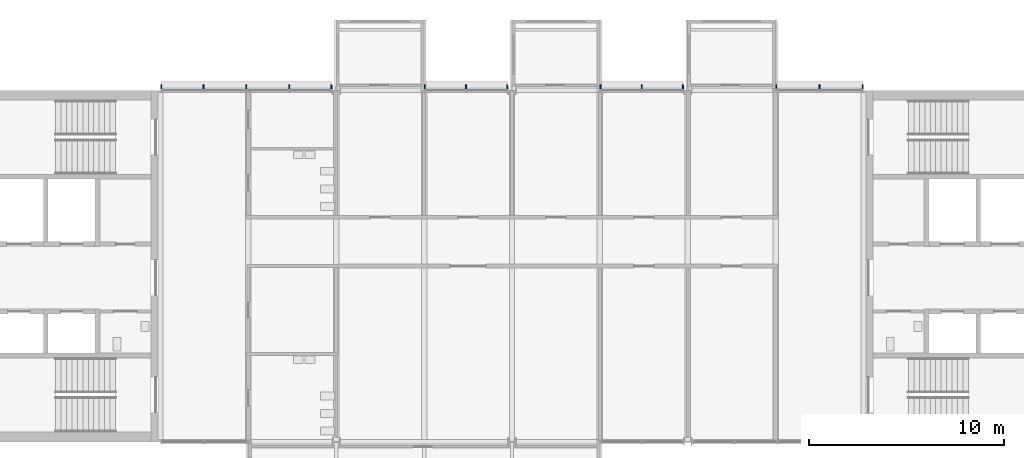
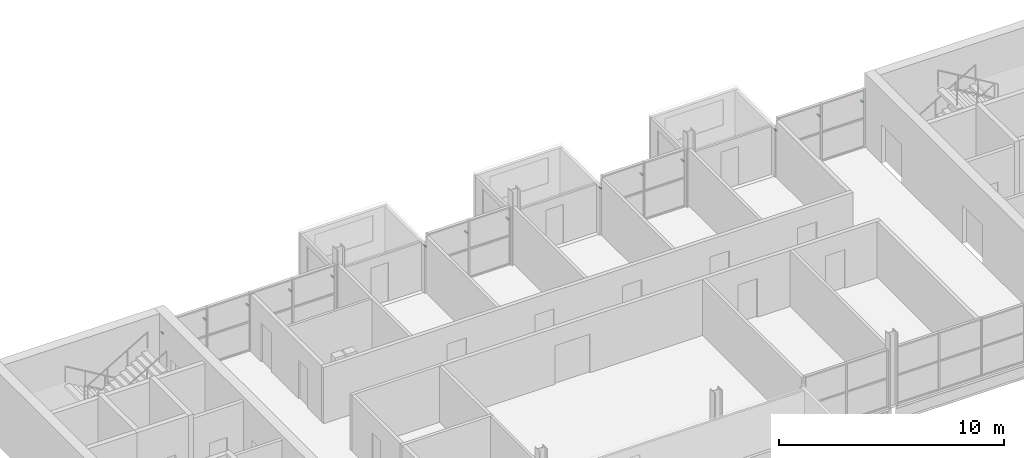
# One storey, part 10 of 12: 14 discrete accessories.
"""IFC4 building model written with IfcOpenShell, lengths in metres."""

import ifcopenshell
import ifcopenshell.guid

model = None  # the IFC model being written
_history = None  # IfcOwnerHistory: only IFC2X3 demands one
_inside = {}  # id of a spatial element -> (the spatial element, [elements in it])
_under = {}  # id of a project, library or spatial element -> (it, [spatial elements below it])
_declared = {}  # id of a project -> (the project, [libraries it declares])
_typed = {}  # id of a type object -> (the type object, [elements of that type])
_made_of = {}  # id of a material, layer set ... -> (it, [elements and type objects made of it])


def new_model(schema):
    """Start an empty IFC model of exactly this schema.

    Asked for "IFC4X3", IfcOpenShell would pick the latest addendum, in which some entities
    have other attributes; the version numbers below select the first issue.
    IFC2X3 requires an IfcOwnerHistory on every rooted entity: one is made here for all.
    """
    global model, _history
    if schema == "IFC4X3":
        model = ifcopenshell.file(schema_version=(4, 3, 0, 0))
    else:
        model = ifcopenshell.file(schema=schema)
    _inside.clear()
    _under.clear()
    _declared.clear()
    _typed.clear()
    _made_of.clear()
    _history = None
    if model.schema == "IFC2X3":
        org = make("IfcOrganization", Name="unknown")
        user = make(
            "IfcPersonAndOrganization",
            ThePerson=make("IfcPerson", FamilyName="unknown"),
            TheOrganization=org,
        )
        app = make(
            "IfcApplication",
            ApplicationDeveloper=org,
            Version="unknown",
            ApplicationFullName="unknown",
            ApplicationIdentifier="unknown",
        )
        _history = make(
            "IfcOwnerHistory",
            OwningUser=user,
            OwningApplication=app,
            ChangeAction="ADDED",
            CreationDate=0,
        )
    return model


def make(cls, **values):
    """One entity of the class cls with the attributes given. An attribute that is None is left unset."""
    return model.create_entity(
        cls, **{name: value for name, value in values.items() if value is not None}
    )


def rooted(cls, **values):
    """An entity with a GlobalId (a new one), such as an element, a storey or a relation."""
    return make(cls, GlobalId=ifcopenshell.guid.new(), OwnerHistory=_history, **values)


def si_unit(unit_type, name, prefix=None):
    """IfcSIUnit, for example si_unit("LENGTHUNIT", "METRE", prefix="MILLI")."""
    return make("IfcSIUnit", UnitType=unit_type, Prefix=prefix, Name=name)


def assignment(units):
    """IfcUnitAssignment: the units of a project."""
    return None if units is None else make("IfcUnitAssignment", Units=units)


def point(xyz):
    """IfcCartesianPoint."""
    return None if xyz is None else make("IfcCartesianPoint", Coordinates=xyz)


def direction(xyz):
    """IfcDirection."""
    return None if xyz is None else make("IfcDirection", DirectionRatios=xyz)


def frame(location, z_axis=None, x_axis=None):
    """IfcAxis2Placement3D, a coordinate frame: its origin and axes. An axis left out is left unset."""
    return make(
        "IfcAxis2Placement3D",
        Location=point(location),
        Axis=direction(z_axis),
        RefDirection=direction(x_axis),
    )


def frame_2d(location, x_axis=None):
    """IfcAxis2Placement2D, a coordinate frame in the plane: its origin and x axis."""
    return make(
        "IfcAxis2Placement2D", Location=point(location), RefDirection=direction(x_axis)
    )


def origin():
    """The frame at (0, 0, 0) with its axes left unset."""
    return frame((0.0, 0.0, 0.0))


def origin_2d():
    """The frame at (0, 0) in the plane with its x axis left unset."""
    return frame_2d((0.0, 0.0))


def place(relative_to, where):
    """IfcLocalPlacement: puts the frame where relative to a parent placement (None: the world)."""
    return make(
        "IfcLocalPlacement", PlacementRelTo=relative_to, RelativePlacement=where
    )


def context(
    kind, dimensions, precision=None, world=None, true_north=None, identifier=None
):
    """IfcGeometricRepresentationContext, for example the 3D "Model" context."""
    return make(
        "IfcGeometricRepresentationContext",
        ContextIdentifier=identifier,
        ContextType=kind,
        CoordinateSpaceDimension=dimensions,
        Precision=precision,
        WorldCoordinateSystem=world,
        TrueNorth=true_north,
    )


def subcontext(parent, identifier, kind, view, scale=None):
    """IfcGeometricRepresentationSubContext, for example "Body" below "Model"."""
    return make(
        "IfcGeometricRepresentationSubContext",
        ContextIdentifier=identifier,
        ContextType=kind,
        ParentContext=parent,
        TargetScale=scale,
        TargetView=view,
    )


def project(units=None, contexts=None):
    """IfcProject with its units and contexts."""
    return rooted(
        "IfcProject",
        Name="project",
        RepresentationContexts=contexts,
        UnitsInContext=assignment(units),
    )


def spatial(cls, under=None, at=None, **own):
    """A site, building, storey or space (cls), placed at a placement, below another one or the project."""
    s = rooted(cls, ObjectPlacement=at, **own)
    if under is not None:
        _under.setdefault(under.id(), (under, []))[1].append(s)
    return s


def profile(cls, at=None, kind="AREA", **sizes):
    """A parametric profile (cls). Its sizes go by their IFC names, for example OverallWidth=200.0."""
    return make(cls, ProfileType=kind, Position=at, **sizes)


def rectangle(**sizes):
    """IfcRectangleProfileDef."""
    return profile("IfcRectangleProfileDef", **sizes)


def extrude(swept, where, along, depth):
    """IfcExtrudedAreaSolid: the profile swept, set in the frame where, extruded along a direction by depth."""
    return make(
        "IfcExtrudedAreaSolid",
        SweptArea=swept,
        Position=where,
        ExtrudedDirection=direction(along),
        Depth=depth,
    )


def shape(context_of_items, identifier, shape_type, items):
    """IfcShapeRepresentation: the items that make up one representation, for example the "Body"."""
    return make(
        "IfcShapeRepresentation",
        ContextOfItems=context_of_items,
        RepresentationIdentifier=identifier,
        RepresentationType=shape_type,
        Items=items,
    )


def material(Name=None, Category=None):
    """IfcMaterial."""
    return make("IfcMaterial", Name=Name, Category=Category)


def made_of(thing, what):
    """Note that an element or type object is made of a material, layer set ...; save() writes the relation."""
    if what is not None:
        _made_of.setdefault(what.id(), (what, []))[1].append(thing)
    return thing


def type_object(cls, material=None, **own):
    """A type object (cls), such as IfcWallType, which elements share."""
    return made_of(rooted(cls, **own), material)


def element(
    cls,
    number,
    at=None,
    inside=None,
    cuts=None,
    type_object=None,
    material=None,
    context=None,
    identifier="Body",
    shape_type=None,
    held_by="IfcProductDefinitionShape",
    body=None,
    shapes=None,
    **own,
):
    """One element of the class cls, such as IfcWall. Its Tag is "e" and its number.

    at: its placement. inside: the storey or other place that contains it. cuts: it is an
    opening in that element (IfcRelVoidsElement). A single representation is given by context,
    identifier, shape_type and body (its items); several are given by shapes. held_by: the class
    of the entity that holds the representations. save() writes the other relations.
    """
    e = rooted(cls, Tag="e%d" % number, ObjectPlacement=at, **own)
    if body is not None:
        shapes = [shape(context, identifier, shape_type, body)]
    if shapes is not None:
        e.Representation = make(held_by, Representations=shapes)
    if inside is not None:
        _inside.setdefault(inside.id(), (inside, []))[1].append(e)
    if cuts is not None:
        rooted(
            "IfcRelVoidsElement", RelatingBuildingElement=cuts, RelatedOpeningElement=e
        )
    if type_object is not None:
        _typed.setdefault(type_object.id(), (type_object, []))[1].append(e)
    return made_of(e, material)


def aggregate(whole, parts):
    """IfcRelAggregates: a whole, such as a stair, and the parts it consists of."""
    return rooted("IfcRelAggregates", RelatingObject=whole, RelatedObjects=parts)


def save(model, path):
    """Write the relations noted so far, then the file.

    IfcRelAggregates (storeys below a building ...), IfcRelContainedInSpatialStructure (elements
    in a storey), IfcRelDefinesByType, IfcRelAssociatesMaterial and IfcRelDeclares: one each for
    every whole, place, type object, material and project.
    """
    for whole, parts in _under.values():
        aggregate(whole, parts)
    for where, things in _inside.values():
        rooted(
            "IfcRelContainedInSpatialStructure",
            RelatedElements=things,
            RelatingStructure=where,
        )
    for kind, things in _typed.values():
        rooted("IfcRelDefinesByType", RelatedObjects=things, RelatingType=kind)
    for what, things in _made_of.values():
        rooted("IfcRelAssociatesMaterial", RelatedObjects=things, RelatingMaterial=what)
    for by, libraries in _declared.values():
        rooted("IfcRelDeclares", RelatingContext=by, RelatedDefinitions=libraries)
    model.write(path)


model = new_model("IFC4")

# Units and contexts
model_context = context("Model", 3, precision=1e-05, world=origin(), true_north=direction((0.0, 1.0)))
body_context = subcontext(model_context, "Body", "Model", "MODEL_VIEW")
ifc_project = project(units=[si_unit("LENGTHUNIT", "METRE"), si_unit("AREAUNIT", "SQUARE_METRE"), si_unit("VOLUMEUNIT", "CUBIC_METRE"), si_unit("PLANEANGLEUNIT", "RADIAN"), si_unit("MASSUNIT", "GRAM", prefix="KILO")], contexts=[model_context])

# Site, building, storey
site_placement = place(None, origin())
site = spatial("IfcSite", under=ifc_project, at=site_placement, CompositionType="ELEMENT")
building_placement = place(site_placement, origin())
building = spatial("IfcBuilding", under=site, at=building_placement, Name="Corbel Yard City Hall", CompositionType="ELEMENT")
storey_placement = place(building_placement, frame((0.0, 0.0, 31.199951171875)))
storey = spatial("IfcBuildingStorey", under=building, at=storey_placement, Name="L07", CompositionType="ELEMENT", Elevation=31.199951171875)

# Discrete accessories
ifc_material = material(Name="Steel Grade 300 (300 MPa yield)", Category="steel")
discrete_accessory_type = type_object("IfcDiscreteAccessoryType", Name="BK1", PredefinedType="BRACKET", material=ifc_material)
for number, where, z_axis, x_axis, name in (
    (1, (9.032470703125, 117.18994140625, 2.33251953125), (0.0, 0.0, 1.0), (1.0, 0.0, 0.0), "Louvre bracket"),
    (2, (11.1982421875, 117.18994140625, 2.33251953125), (0.0, 0.0, 1.0), (1.0, 0.0, 0.0), "Louvre bracket"),
    (3, (13.396484375, 117.18994140625, 2.33251953125), (0.0, 0.0, 1.0), (1.0, 0.0, 0.0), "Louvre bracket"),
    (4, (15.5947265625, 117.18994140625, 2.33251953125), (0.0, 0.0, 1.0), (1.0, 0.0, 0.0), "Louvre bracket"),
    (5, (17.760498046875, 117.18994140625, 2.33251953125), (0.0, 0.0, 1.0), (1.0, 0.0, 0.0), "Louvre bracket"),
    (6, (22.532470703125, 117.18994140625, 2.33251953125), (0.0, 0.0, 1.0), (1.0, 0.0, 0.0), "Louvre bracket"),
    (7, (24.646484375, 117.18994140625, 2.33251953125), (0.0, 0.0, 1.0), (1.0, 0.0, 0.0), "Louvre bracket"),
    (8, (26.760498046875, 117.18994140625, 2.33251953125), (0.0, 0.0, 1.0), (1.0, 0.0, 0.0), "Louvre bracket"),
    (9, (31.532470703125, 117.18994140625, 2.33251953125), (0.0, 0.0, 1.0), (1.0, 0.0, 0.0), "Louvre bracket"),
    (10, (33.646484375, 117.18994140625, 2.33251953125), (0.0, 0.0, 1.0), (1.0, 0.0, 0.0), "Louvre bracket"),
    (11, (35.760498046875, 117.18994140625, 2.33251953125), (0.0, 0.0, 1.0), (1.0, 0.0, 0.0), "Louvre bracket"),
    (12, (40.532470703125, 117.18994140625, 2.33251953125), (0.0, 0.0, 1.0), (1.0, 0.0, 0.0), "Louvre bracket"),
    (13, (42.75, 117.18994140625, 2.33251953125), (0.0, 0.0, 1.0), (1.0, 0.0, 0.0), "Louvre bracket"),
    (14, (44.967529296875, 117.18994140625, 2.33251953125), (0.0, 0.0, 1.0), (1.0, 0.0, 0.0), "Louvre bracket"),
):
    element("IfcDiscreteAccessory", number, at=place(storey_placement, frame(where, z_axis=z_axis, x_axis=x_axis)), inside=storey, type_object=discrete_accessory_type, Name=name, PredefinedType="BRACKET", context=body_context, shape_type="SweptSolid", body=[
        extrude(rectangle(XDim=0.06005859375, YDim=0.199951171875, at=origin_2d()), origin(), (0.0, 0.0, 1.0), 0.06005859375),
    ])

save(model, "model.ifc")
